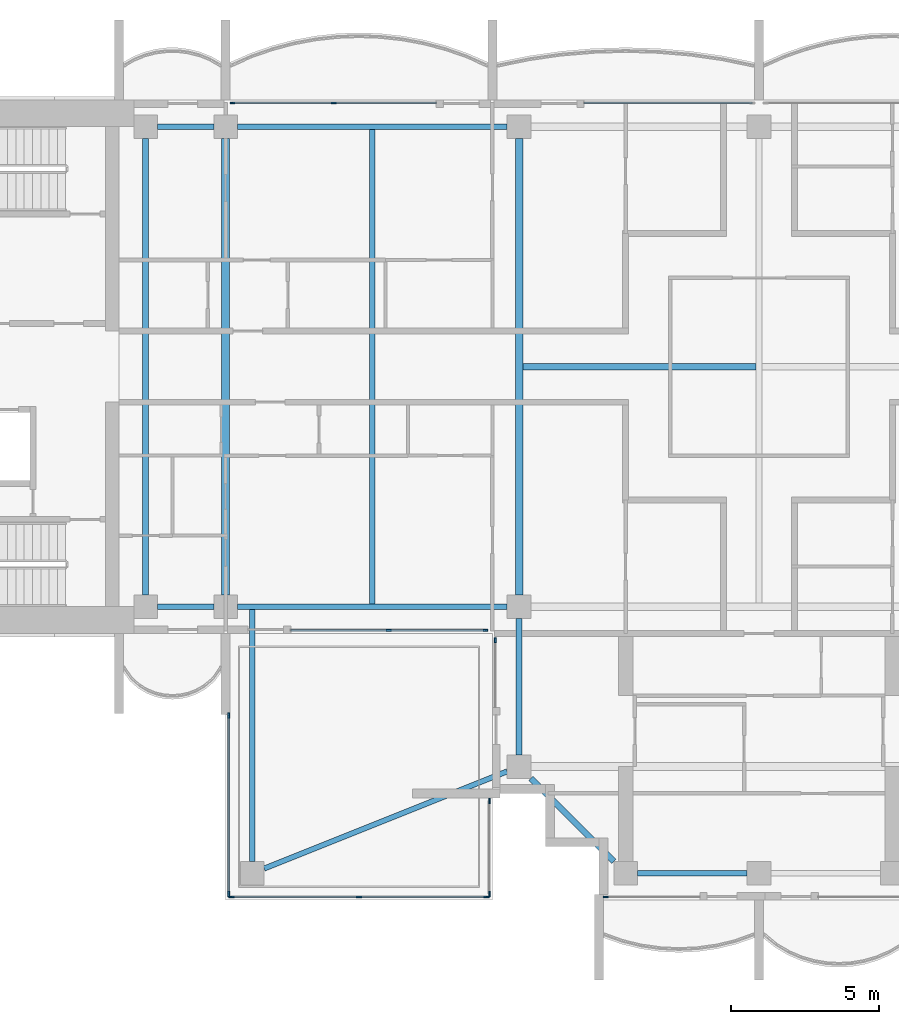
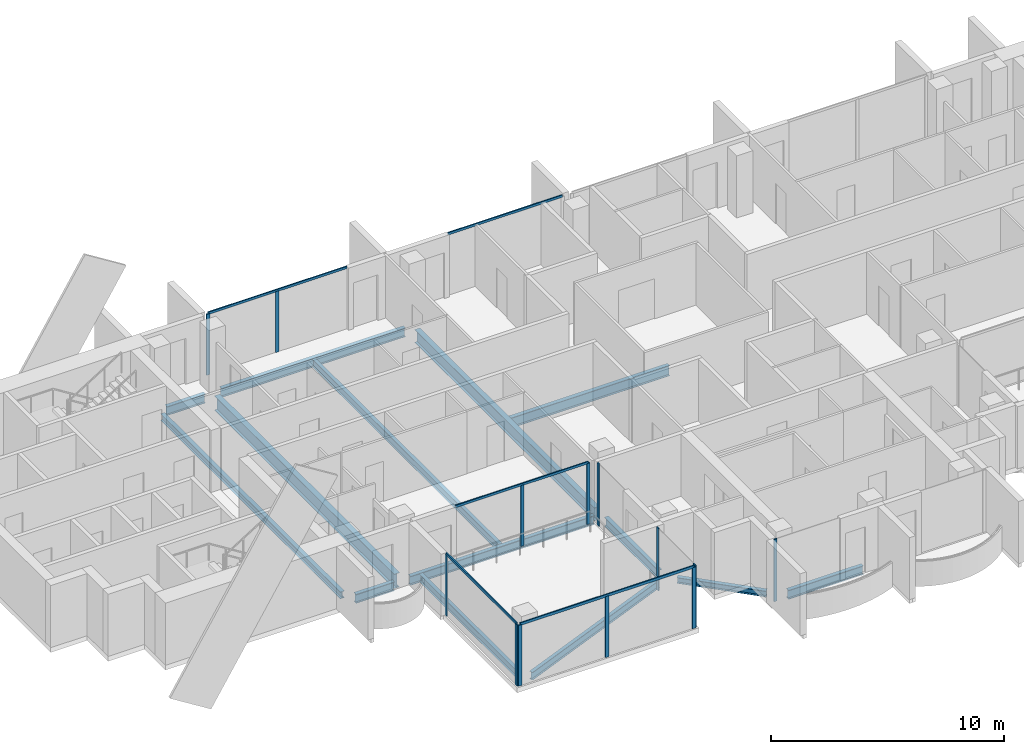
# One storey, part 2 of 16: 18 members, 14 beams, 8 elements without a shape of their own.
"""IFC4 building model written with IfcOpenShell, lengths in metres."""

from ifc_helpers import new_model, si_unit, direction, frame, origin, origin_2d, place, context, subcontext, project, spatial, rectangle, i_section, extrude, material, material_profile, profile_set, type_object, element, aggregate, save


model = new_model("IFC4")

# Units and contexts
model_context = context("Model", 3, precision=1e-05, world=origin(), true_north=direction((0.0, 1.0)))
body_context = subcontext(model_context, "Body", "Model", "MODEL_VIEW")
ifc_project = project(units=[si_unit("LENGTHUNIT", "METRE"), si_unit("AREAUNIT", "SQUARE_METRE"), si_unit("VOLUMEUNIT", "CUBIC_METRE"), si_unit("PLANEANGLEUNIT", "RADIAN"), si_unit("MASSUNIT", "GRAM", prefix="KILO")], contexts=[model_context])

# Site, building, storey
site_placement = place(None, origin())
site = spatial("IfcSite", under=ifc_project, at=site_placement, CompositionType="ELEMENT")
building_placement = place(site_placement, origin())
building = spatial("IfcBuilding", under=site, at=building_placement, Name="Perihelion Cross Residences", CompositionType="ELEMENT")
storey_placement = place(building_placement, frame((0.0, 0.0, 271.0)))
storey = spatial("IfcBuildingStorey", under=building, at=storey_placement, Name="L69", CompositionType="ELEMENT", Elevation=271.0)

# Curtain wall, members
ifc_material_1 = material(Name="Bronze anodised aluminium, tinted glazing", Category="aluminium")
curtain_wall_type_1 = type_object("IfcCurtainWallType", Name="CW1", PredefinedType="NOTDEFINED", material=ifc_material_1)
curtain_wall_1_placement = place(storey_placement, origin())
curtain_wall_1 = element("IfcCurtainWall", 1, at=curtain_wall_1_placement, inside=storey, type_object=curtain_wall_type_1, Name="Curtain wall CW1 L69 west side north bay 1", PredefinedType="NOTDEFINED")
ifc_material_2 = material(Name="Bronze anodised aluminium", Category="aluminium")
ifc_material_profile_1 = material_profile(ifc_material_2, rectangle(XDim=0.06005859375, YDim=0.159912109375, at=origin_2d()), Name="CW1 mullion")
ifc_profile_set_1 = profile_set([ifc_material_profile_1], Name="Bronze anodised aluminium")
member_type_1 = type_object("IfcMemberType", Name="CW1 mullion", PredefinedType="MULLION", material=ifc_profile_set_1)
member_1_placement = place(storey_placement, frame((-14.35009765625, 8.89990234375, 0.0), z_axis=(0.0, 0.0, 1.0), x_axis=(0.0, -1.0, 0.0)))
member_1 = element("IfcMember", 2, at=member_1_placement, type_object=member_type_1, Name="CW1 mullion 2", PredefinedType="MULLION", context=body_context, shape_type="SweptSolid", body=[
    extrude(rectangle(XDim=0.06005859375, YDim=0.159912109375, at=origin_2d()), origin(), (0.0, 0.0, 1.0), 3.18994140625),
])
member_2_placement = place(storey_placement, frame((-17.77001953125, 8.89990234375, 0.0), z_axis=(0.0, 0.0, 1.0), x_axis=(0.0, -1.0, 0.0)))
member_2 = element("IfcMember", 3, at=member_2_placement, type_object=member_type_1, Name="CW1 mullion 3", PredefinedType="MULLION", context=body_context, shape_type="SweptSolid", body=[
    extrude(rectangle(XDim=0.06005859375, YDim=0.159912109375, at=origin_2d()), origin(), (0.0, 0.0, 1.0), 3.18994140625),
])

curtain_wall_2_placement = place(storey_placement, origin())
curtain_wall_2 = element("IfcCurtainWall", 4, at=curtain_wall_2_placement, inside=storey, type_object=curtain_wall_type_1, Name="Curtain wall CW1 L69 west side south bay 2", PredefinedType="NOTDEFINED")
member_3_placement = place(storey_placement, frame((-12.5, -8.89990234375, 0.0), z_axis=(0.0, 0.0, 1.0), x_axis=(0.0, 1.0, 0.0)))
member_3 = element("IfcMember", 5, at=member_3_placement, type_object=member_type_1, Name="CW1 mullion 2", PredefinedType="MULLION", context=body_context, shape_type="SweptSolid", body=[
    extrude(rectangle(XDim=0.06005859375, YDim=0.159912109375, at=origin_2d()), origin(), (0.0, 0.0, 1.0), 3.18994140625),
])
member_4_placement = place(storey_placement, frame((-9.22998046875, -8.89990234375, 0.0), z_axis=(0.0, 0.0, 1.0), x_axis=(0.0, 1.0, 0.0)))
member_4 = element("IfcMember", 6, at=member_4_placement, type_object=member_type_1, Name="CW1 mullion 3", PredefinedType="MULLION", context=body_context, shape_type="SweptSolid", body=[
    extrude(rectangle(XDim=0.06005859375, YDim=0.159912109375, at=origin_2d()), origin(), (0.0, 0.0, 1.0), 3.18994140625),
])

# Curtain wall, member
curtain_wall_3_placement = place(storey_placement, origin())
curtain_wall_3 = element("IfcCurtainWall", 7, at=curtain_wall_3_placement, inside=storey, type_object=curtain_wall_type_1, Name="Curtain wall CW1 L69 south side west bay 1", PredefinedType="NOTDEFINED")
member_5_placement = place(storey_placement, frame((-8.89990234375, -9.22998046875, 0.0), z_axis=(0.0, 0.0, 1.0), x_axis=(1.0, 0.0, 0.0)))
member_5 = element("IfcMember", 8, at=member_5_placement, type_object=member_type_1, Name="CW1 mullion 1", PredefinedType="MULLION", context=body_context, shape_type="SweptSolid", body=[
    extrude(rectangle(XDim=0.06005859375, YDim=0.159912109375, at=origin_2d()), origin(), (0.0, 0.0, 1.0), 3.25),
])
aggregate(curtain_wall_3, [member_5])

curtain_wall_4_placement = place(storey_placement, origin())
curtain_wall_4 = element("IfcCurtainWall", 9, at=curtain_wall_4_placement, inside=storey, type_object=curtain_wall_type_1, Name="Curtain wall CW1 L69 south tip south bay 1", PredefinedType="NOTDEFINED")
member_6_placement = place(storey_placement, frame((-5.169921875, -17.89990234375, 0.0), z_axis=(0.0, 0.0, 1.0), x_axis=(0.0, 1.0, 0.0)))
member_6 = element("IfcMember", 10, at=member_6_placement, type_object=member_type_1, Name="CW1 mullion 1", PredefinedType="MULLION", context=body_context, shape_type="SweptSolid", body=[
    extrude(rectangle(XDim=0.06005859375, YDim=0.159912109375, at=origin_2d()), origin(), (0.0, 0.0, 1.0), 3.25),
])
aggregate(curtain_wall_4, [member_6])

curtain_wall_5_placement = place(storey_placement, origin())
curtain_wall_5 = element("IfcCurtainWall", 11, at=curtain_wall_5_placement, inside=storey, type_object=curtain_wall_type_1, Name="Curtain wall CW1 L69 north side east bay 2", PredefinedType="NOTDEFINED")
ifc_material_3 = material(Name="Bronze anodised aluminium", Category="aluminium")
ifc_material_profile_2 = material_profile(ifc_material_3, rectangle(XDim=0.06005859375, YDim=0.1201171875, at=origin_2d()), Name="CW1 transom")
ifc_profile_set_2 = profile_set([ifc_material_profile_2], Name="Bronze anodised aluminium")
member_type_2 = type_object("IfcMemberType", Name="CW1 transom", PredefinedType="USERDEFINED", material=ifc_profile_set_2)
member_7_placement = place(storey_placement, frame((-0.22998046875, 8.89990234375, 3.219970703125), z_axis=(-1.0, 0.0, 0.0), x_axis=(0.0, -1.0, 0.0)))
member_7 = element("IfcMember", 12, at=member_7_placement, type_object=member_type_2, Name="CW1 head transom", ObjectType="TRANSOM", PredefinedType="USERDEFINED", context=body_context, shape_type="SweptSolid", body=[
    extrude(rectangle(XDim=0.06005859375, YDim=0.1201171875, at=origin_2d()), origin(), (0.0, 0.0, 1.0), 5.669921875),
])
aggregate(curtain_wall_5, [member_7])

# Member
member_8_placement = place(storey_placement, frame((-10.89990234375, 8.89990234375, 3.219970703125), z_axis=(-1.0, 0.0, 0.0), x_axis=(0.0, -1.0, 0.0)))
member_8 = element("IfcMember", 13, at=member_8_placement, type_object=member_type_2, Name="CW1 head transom", ObjectType="TRANSOM", PredefinedType="USERDEFINED", context=body_context, shape_type="SweptSolid", body=[
    extrude(rectangle(XDim=0.06005859375, YDim=0.1201171875, at=origin_2d()), origin(), (0.0, 0.0, 1.0), 6.8701171875),
])

aggregate(curtain_wall_1, [member_1, member_2, member_8])

member_9_placement = place(storey_placement, frame((-15.800048828125, -8.89990234375, 3.219970703125), z_axis=(1.0, 0.0, 0.0), x_axis=(0.0, 1.0, 0.0)))
member_9 = element("IfcMember", 14, at=member_9_placement, type_object=member_type_2, Name="CW1 head transom", ObjectType="TRANSOM", PredefinedType="USERDEFINED", context=body_context, shape_type="SweptSolid", body=[
    extrude(rectangle(XDim=0.06005859375, YDim=0.1201171875, at=origin_2d()), origin(), (0.0, 0.0, 1.0), 6.570068359375),
])

aggregate(curtain_wall_2, [member_3, member_4, member_9])

# Curtain wall, members
ifc_material_4 = material(Name="Bronze anodised aluminium, tinted glazing", Category="aluminium")
curtain_wall_type_2 = type_object("IfcCurtainWallType", Name="CW4", PredefinedType="NOTDEFINED", material=ifc_material_4)
curtain_wall_6_placement = place(storey_placement, origin())
curtain_wall_6 = element("IfcCurtainWall", 15, at=curtain_wall_6_placement, inside=storey, type_object=curtain_wall_type_2, Name="Curtain wall CW4 L69 pocket south-west 1 1", PredefinedType="NOTDEFINED")
ifc_material_5 = material(Name="Bronze anodised aluminium", Category="aluminium")
ifc_material_profile_3 = material_profile(ifc_material_5, rectangle(XDim=0.06005859375, YDim=0.179931640625, at=origin_2d()), Name="CW4 mullion")
ifc_profile_set_3 = profile_set([ifc_material_profile_3], Name="Bronze anodised aluminium")
member_type_3 = type_object("IfcMemberType", Name="CW4 mullion", PredefinedType="MULLION", material=ifc_profile_set_3)
member_10_placement = place(storey_placement, frame((-9.10009765625, -14.658935546875, 0.0), z_axis=(0.0, 0.0, 1.0), x_axis=(1.0, 0.0, 0.0)))
member_10 = element("IfcMember", 16, at=member_10_placement, type_object=member_type_3, Name="CW4 mullion 1", PredefinedType="MULLION", context=body_context, shape_type="SweptSolid", body=[
    extrude(rectangle(XDim=0.06005859375, YDim=0.179931640625, at=origin_2d()), origin(), (0.0, 0.0, 1.0), 3.25),
])
member_11_placement = place(storey_placement, frame((-9.10009765625, -17.800048828125, 0.0), z_axis=(0.0, 0.0, 1.0), x_axis=(1.0, 0.0, 0.0)))
member_11 = element("IfcMember", 17, at=member_11_placement, type_object=member_type_3, Name="CW4 mullion 2", PredefinedType="MULLION", context=body_context, shape_type="SweptSolid", body=[
    extrude(rectangle(XDim=0.06005859375, YDim=0.179931640625, at=origin_2d()), origin(), (0.0, 0.0, 1.0), 3.25),
])
aggregate(curtain_wall_6, [member_10, member_11])

curtain_wall_7_placement = place(storey_placement, origin())
curtain_wall_7 = element("IfcCurtainWall", 18, at=curtain_wall_7_placement, inside=storey, type_object=curtain_wall_type_2, Name="Curtain wall CW4 L69 pocket south-west 1 2", PredefinedType="NOTDEFINED")
member_12_placement = place(storey_placement, frame((-9.199951171875, -17.89990234375, 0.0), z_axis=(0.0, 0.0, 1.0), x_axis=(0.0, -1.0, 0.0)))
member_12 = element("IfcMember", 19, at=member_12_placement, type_object=member_type_3, Name="CW4 mullion 1", PredefinedType="MULLION", context=body_context, shape_type="SweptSolid", body=[
    extrude(rectangle(XDim=0.06005859375, YDim=0.179931640625, at=origin_2d()), origin(), (0.0, 0.0, 1.0), 3.18994140625),
])
member_13_placement = place(storey_placement, frame((-13.5, -17.89990234375, 0.0), z_axis=(0.0, 0.0, 1.0), x_axis=(0.0, -1.0, 0.0)))
member_13 = element("IfcMember", 20, at=member_13_placement, type_object=member_type_3, Name="CW4 mullion 2", PredefinedType="MULLION", context=body_context, shape_type="SweptSolid", body=[
    extrude(rectangle(XDim=0.06005859375, YDim=0.179931640625, at=origin_2d()), origin(), (0.0, 0.0, 1.0), 3.18994140625),
])
member_14_placement = place(storey_placement, frame((-17.800048828125, -17.89990234375, 0.0), z_axis=(0.0, 0.0, 1.0), x_axis=(0.0, -1.0, 0.0)))
member_14 = element("IfcMember", 21, at=member_14_placement, type_object=member_type_3, Name="CW4 mullion 3", PredefinedType="MULLION", context=body_context, shape_type="SweptSolid", body=[
    extrude(rectangle(XDim=0.06005859375, YDim=0.179931640625, at=origin_2d()), origin(), (0.0, 0.0, 1.0), 3.18994140625),
])

curtain_wall_8_placement = place(storey_placement, origin())
curtain_wall_8 = element("IfcCurtainWall", 22, at=curtain_wall_8_placement, inside=storey, type_object=curtain_wall_type_2, Name="Curtain wall CW4 L69 pocket south-west 1 3", PredefinedType="NOTDEFINED")
member_15_placement = place(storey_placement, frame((-17.89990234375, -17.800048828125, 0.0), z_axis=(0.0, 0.0, 1.0), x_axis=(-1.0, 0.0, 0.0)))
member_15 = element("IfcMember", 23, at=member_15_placement, type_object=member_type_3, Name="CW4 mullion 1", PredefinedType="MULLION", context=body_context, shape_type="SweptSolid", body=[
    extrude(rectangle(XDim=0.06005859375, YDim=0.179931640625, at=origin_2d()), origin(), (0.0, 0.0, 1.0), 3.18994140625),
])
member_16_placement = place(storey_placement, frame((-17.89990234375, -11.77001953125, 0.0), z_axis=(0.0, 0.0, 1.0), x_axis=(-1.0, 0.0, 0.0)))
member_16 = element("IfcMember", 24, at=member_16_placement, type_object=member_type_3, Name="CW4 mullion 2", PredefinedType="MULLION", context=body_context, shape_type="SweptSolid", body=[
    extrude(rectangle(XDim=0.06005859375, YDim=0.179931640625, at=origin_2d()), origin(), (0.0, 0.0, 1.0), 3.18994140625),
])

# Member
ifc_material_6 = material(Name="Bronze anodised aluminium", Category="aluminium")
ifc_material_profile_4 = material_profile(ifc_material_6, rectangle(XDim=0.06005859375, YDim=0.139892578125, at=origin_2d()), Name="CW4 transom")
ifc_profile_set_4 = profile_set([ifc_material_profile_4], Name="Bronze anodised aluminium")
member_type_4 = type_object("IfcMemberType", Name="CW4 transom", PredefinedType="USERDEFINED", material=ifc_profile_set_4)
member_17_placement = place(storey_placement, frame((-9.199951171875, -17.89990234375, 3.219970703125), z_axis=(-1.0, 0.0, 0.0), x_axis=(0.0, -1.0, 0.0)))
member_17 = element("IfcMember", 25, at=member_17_placement, type_object=member_type_4, Name="CW4 head transom", ObjectType="TRANSOM", PredefinedType="USERDEFINED", context=body_context, shape_type="SweptSolid", body=[
    extrude(rectangle(XDim=0.06005859375, YDim=0.139892578125, at=origin_2d()), origin(), (0.0, 0.0, 1.0), 8.60009765625),
])

aggregate(curtain_wall_7, [member_12, member_13, member_14, member_17])

member_18_placement = place(storey_placement, frame((-17.89990234375, -17.800048828125, 3.219970703125), z_axis=(0.0, 1.0, 0.0), x_axis=(-1.0, 0.0, 0.0)))
member_18 = element("IfcMember", 26, at=member_18_placement, type_object=member_type_4, Name="CW4 head transom", ObjectType="TRANSOM", PredefinedType="USERDEFINED", context=body_context, shape_type="SweptSolid", body=[
    extrude(rectangle(XDim=0.06005859375, YDim=0.139892578125, at=origin_2d()), origin(), (0.0, 0.0, 1.0), 6.030029296875),
])

aggregate(curtain_wall_8, [member_15, member_16, member_18])

# Beams
ifc_material_7 = material(Name="Steel S355", Category="steel")
ifc_material_profile_5 = material_profile(ifc_material_7, i_section(OverallWidth=0.205078125, OverallDepth=0.35302734375, WebThickness=0.009521484375, FlangeThickness=0.016845703125, at=origin_2d()), Name="W360x79")
ifc_profile_set_5 = profile_set([ifc_material_profile_5], Name="Steel S355")
beam_type_1 = type_object("IfcBeamType", Name="Core edge beam W360x79", PredefinedType="BEAM", material=ifc_profile_set_5)
beam_1_placement = place(storey_placement, frame((-20.699951171875, -7.699951171875, -0.426513671875), z_axis=(0.0, 1.0, 0.0), x_axis=(-1.0, 0.0, 0.0)))
element("IfcBeam", 27, at=beam_1_placement, inside=storey, type_object=beam_type_1, Name="Core edge beam TB7 L69 no. 1", PredefinedType="BEAM", context=body_context, shape_type="SweptSolid", body=[
    extrude(i_section(OverallWidth=0.205078125, OverallDepth=0.35302734375, WebThickness=0.009521484375, FlangeThickness=0.016845703125, at=origin_2d()), origin(), (0.0, 0.0, 1.0), 15.39990234375),
])
ifc_material_8 = material(Name="Steel S355", Category="steel")
ifc_material_profile_6 = material_profile(ifc_material_8, i_section(OverallWidth=0.177978515625, OverallDepth=0.406005859375, WebThickness=0.0078125, FlangeThickness=0.0126953125, at=origin_2d()), Name="W410x60")
ifc_profile_set_6 = profile_set([ifc_material_profile_6], Name="Steel S355")
beam_type_2 = type_object("IfcBeamType", Name="Core edge beam W410x60", PredefinedType="BEAM", material=ifc_profile_set_6)
beam_2_placement = place(storey_placement, frame((-17.10009765625, -8.197021484375, -0.452880859375), z_axis=(0.0, -1.0, 0.0), x_axis=(1.0, 0.0, 0.0)))
element("IfcBeam", 28, at=beam_2_placement, inside=storey, type_object=beam_type_2, Name="Core edge beam TB2 L69 corner no. 1", PredefinedType="BEAM", context=body_context, shape_type="SweptSolid", body=[
    extrude(i_section(OverallWidth=0.177978515625, OverallDepth=0.406005859375, WebThickness=0.0078125, FlangeThickness=0.0126953125, at=origin_2d()), origin(), (0.0, 0.0, 1.0), 8.5029296875),
])
beam_3_placement = place(storey_placement, frame((-8.5, -13.659912109375, -0.452880859375), z_axis=(-0.928474784399, -0.371395442534, 0.0), x_axis=(0.371395442534, -0.928474784399, 0.0)))
element("IfcBeam", 29, at=beam_3_placement, inside=storey, type_object=beam_type_2, Name="Core edge beam TB2 L69 corner no. 2", PredefinedType="BEAM", context=body_context, shape_type="SweptSolid", body=[
    extrude(i_section(OverallWidth=0.177978515625, OverallDepth=0.406005859375, WebThickness=0.0078125, FlangeThickness=0.0126953125, at=origin_2d()), origin(), (0.0, 0.0, 1.0), 8.83154296875),
])
ifc_material_9 = material(Name="Steel S355", Category="steel")
ifc_material_profile_7 = material_profile(ifc_material_9, i_section(OverallWidth=0.194091796875, OverallDepth=0.469970703125, WebThickness=0.0126953125, FlangeThickness=0.0205078125, at=origin_2d()), Name="W460x106")
ifc_profile_set_7 = profile_set([ifc_material_profile_7], Name="Steel S355")
beam_type_3 = type_object("IfcBeamType", Name="Edge beam W460x106", PredefinedType="SPANDREL", material=ifc_profile_set_7)
beam_4_placement = place(storey_placement, frame((-8.5, 8.10009765625, -0.485107421875), z_axis=(-1.0, 0.0, 0.0), x_axis=(0.0, -1.0, 0.0)))
element("IfcBeam", 30, at=beam_4_placement, inside=storey, type_object=beam_type_3, Name="Edge beam SB5 L69 no. 6", PredefinedType="SPANDREL", context=body_context, shape_type="SweptSolid", body=[
    extrude(i_section(OverallWidth=0.194091796875, OverallDepth=0.469970703125, WebThickness=0.0126953125, FlangeThickness=0.0205078125, at=origin_2d()), origin(), (0.0, 0.0, 1.0), 9.10009765625),
])
for number, where, z_axis, x_axis, name in (
    (31, (-18.39990234375, 8.10009765625, -0.485107421875), (-1.0, 0.0, 0.0), (0.0, -1.0, 0.0), "Edge beam SB5 L69 no. 2"),
    (32, (-20.300048828125, -8.10009765625, -0.485107421875), (1.0, 0.0, 0.0), (0.0, 1.0, 0.0), "Edge beam SB5 L69 no. 3"),
):
    element("IfcBeam", number, at=place(storey_placement, frame(where, z_axis=z_axis, x_axis=x_axis)), inside=storey, type_object=beam_type_3, Name=name, PredefinedType="SPANDREL", context=body_context, shape_type="SweptSolid", body=[
        extrude(i_section(OverallWidth=0.194091796875, OverallDepth=0.469970703125, WebThickness=0.0126953125, FlangeThickness=0.0205078125, at=origin_2d()), origin(), (0.0, 0.0, 1.0), 1.900146484375),
    ])
beam_5_placement = place(storey_placement, frame((-17.60009765625, -8.10009765625, -0.485107421875), z_axis=(1.0, 0.0, 0.0), x_axis=(0.0, 1.0, 0.0)))
element("IfcBeam", 33, at=beam_5_placement, inside=storey, type_object=beam_type_3, Name="Edge beam SB5 L69 no. 1", PredefinedType="SPANDREL", context=body_context, shape_type="SweptSolid", body=[
    extrude(i_section(OverallWidth=0.194091796875, OverallDepth=0.469970703125, WebThickness=0.0126953125, FlangeThickness=0.0205078125, at=origin_2d()), origin(), (0.0, 0.0, 1.0), 9.10009765625),
])
beam_6_placement = place(storey_placement, frame((-8.10009765625, -8.5, -0.485107421875), z_axis=(0.0, -1.0, 0.0), x_axis=(1.0, 0.0, 0.0)))
element("IfcBeam", 34, at=beam_6_placement, inside=storey, type_object=beam_type_3, Name="Edge beam SB5 L69 no. 5", PredefinedType="SPANDREL", context=body_context, shape_type="SweptSolid", body=[
    extrude(i_section(OverallWidth=0.194091796875, OverallDepth=0.469970703125, WebThickness=0.0126953125, FlangeThickness=0.0205078125, at=origin_2d()), origin(), (0.0, 0.0, 1.0), 4.60009765625),
])
beam_7_placement = place(storey_placement, frame((-4.10009765625, -17.10009765625, -0.485107421875), z_axis=(1.0, 0.0, 0.0), x_axis=(0.0, 1.0, 0.0)))
element("IfcBeam", 35, at=beam_7_placement, inside=storey, type_object=beam_type_3, Name="Edge beam SB5 L69 no. 4", PredefinedType="SPANDREL", context=body_context, shape_type="SweptSolid", body=[
    extrude(i_section(OverallWidth=0.194091796875, OverallDepth=0.469970703125, WebThickness=0.0126953125, FlangeThickness=0.0205078125, at=origin_2d()), origin(), (0.0, 0.0, 1.0), 3.7001953125),
])
ifc_material_10 = material(Name="Steel S355", Category="steel")
ifc_material_profile_8 = material_profile(ifc_material_10, i_section(OverallWidth=0.26708984375, OverallDepth=0.75390625, WebThickness=0.01318359375, FlangeThickness=0.01708984375, at=origin_2d()), Name="W760x147")
ifc_profile_set_8 = profile_set([ifc_material_profile_8], Name="Steel S355")
beam_type_4 = type_object("IfcBeamType", Name="Floor girder W760x147", PredefinedType="BEAM", material=ifc_profile_set_8)
beam_8_placement = place(storey_placement, frame((-18.0, -7.699951171875, -0.626953125), z_axis=(0.0, 1.0, 0.0), x_axis=(-1.0, 0.0, 0.0)))
element("IfcBeam", 36, at=beam_8_placement, inside=storey, type_object=beam_type_4, Name="Girder G5 L69 no. 1", PredefinedType="BEAM", context=body_context, shape_type="SweptSolid", body=[
    extrude(i_section(OverallWidth=0.26708984375, OverallDepth=0.75390625, WebThickness=0.01318359375, FlangeThickness=0.01708984375, at=origin_2d()), origin(), (0.0, 0.0, 1.0), 15.39990234375),
])
ifc_material_11 = material(Name="Steel S355", Category="steel")
ifc_material_profile_9 = material_profile(ifc_material_11, i_section(OverallWidth=0.177978515625, OverallDepth=0.406005859375, WebThickness=0.0078125, FlangeThickness=0.0126953125, at=origin_2d()), Name="W410x60")
ifc_profile_set_9 = profile_set([ifc_material_profile_9], Name="Steel S355")
beam_type_5 = type_object("IfcBeamType", Name="Floor joist W410x60", PredefinedType="JOIST", material=ifc_profile_set_9)
beam_9_placement = place(storey_placement, frame((-13.050048828125, -8.0029296875, -0.452880859375), z_axis=(0.0, 1.0, 0.0), x_axis=(-1.0, 0.0, 0.0)))
element("IfcBeam", 37, at=beam_9_placement, inside=storey, type_object=beam_type_5, Name="Joist J6 L69 no. 1", PredefinedType="JOIST", context=body_context, shape_type="SweptSolid", body=[
    extrude(i_section(OverallWidth=0.177978515625, OverallDepth=0.406005859375, WebThickness=0.0078125, FlangeThickness=0.0126953125, at=origin_2d()), origin(), (0.0, 0.0, 1.0), 16.005859375),
])
ifc_material_12 = material(Name="Steel S355", Category="steel")
ifc_material_profile_10 = material_profile(ifc_material_12, i_section(OverallWidth=0.208984375, OverallDepth=0.532958984375, WebThickness=0.01025390625, FlangeThickness=0.015625, at=origin_2d()), Name="W530x92")
ifc_profile_set_10 = profile_set([ifc_material_profile_10], Name="Steel S355")
beam_type_6 = type_object("IfcBeamType", Name="Hub cross beam W530x92", PredefinedType="BEAM", material=ifc_profile_set_10)
beam_10_placement = place(storey_placement, frame((-7.972900390625, 0.0, -0.5166015625), z_axis=(1.0, 0.0, 0.0), x_axis=(0.0, 1.0, 0.0)))
element("IfcBeam", 38, at=beam_10_placement, inside=storey, type_object=beam_type_6, Name="Hub cross beam XB5 L69 1 no. 1", PredefinedType="BEAM", context=body_context, shape_type="SweptSolid", body=[
    extrude(i_section(OverallWidth=0.208984375, OverallDepth=0.532958984375, WebThickness=0.01025390625, FlangeThickness=0.015625, at=origin_2d()), origin(), (0.0, 0.0, 1.0), 7.868408203125),
])
ifc_material_13 = material(Name="Steel S355", Category="steel")
ifc_material_profile_11 = material_profile(ifc_material_13, i_section(OverallWidth=0.25390625, OverallDepth=0.677978515625, WebThickness=0.01171875, FlangeThickness=0.016357421875, at=origin_2d()), Name="W690x125")
ifc_profile_set_11 = profile_set([ifc_material_profile_11], Name="Steel S355")
beam_type_7 = type_object("IfcBeamType", Name="Hub ring girder W690x125", PredefinedType="BEAM", material=ifc_profile_set_11)
beam_11_placement = place(storey_placement, frame((-8.10009765625, 7.699951171875, -0.589111328125), z_axis=(0.0, -1.0, 0.0), x_axis=(1.0, 0.0, 0.0)))
element("IfcBeam", 39, at=beam_11_placement, inside=storey, type_object=beam_type_7, Name="Hub ring girder RG5 L69 no. 2", PredefinedType="BEAM", context=body_context, shape_type="SweptSolid", body=[
    extrude(i_section(OverallWidth=0.25390625, OverallDepth=0.677978515625, WebThickness=0.01171875, FlangeThickness=0.016357421875, at=origin_2d()), origin(), (0.0, 0.0, 1.0), 15.39990234375),
])
ifc_material_14 = material(Name="Steel S355", Category="steel")
ifc_material_profile_12 = material_profile(ifc_material_14, i_section(OverallWidth=0.202880859375, OverallDepth=0.302001953125, WebThickness=0.007568359375, FlangeThickness=0.01318359375, at=origin_2d()), Name="W310x60")
ifc_profile_set_12 = profile_set([ifc_material_profile_12], Name="Steel S355")
beam_type_8 = type_object("IfcBeamType", Name="Serration edge beam W310x60", PredefinedType="BEAM", material=ifc_profile_set_12)
beam_12_placement = place(storey_placement, frame((-7.699951171875, -13.89990234375, -0.40087890625), z_axis=(0.707106781187, -0.707106781187, 0.0), x_axis=(0.707106781187, 0.707106781187, 0.0)))
element("IfcBeam", 40, at=beam_12_placement, inside=storey, type_object=beam_type_8, Name="Serration edge beam EB5 L69 no. 1", PredefinedType="BEAM", context=body_context, shape_type="SweptSolid", body=[
    extrude(i_section(OverallWidth=0.202880859375, OverallDepth=0.302001953125, WebThickness=0.007568359375, FlangeThickness=0.01318359375, at=origin_2d()), origin(), (0.0, 0.0, 1.0), 3.9599609375),
])

save(model, "model.ifc")
